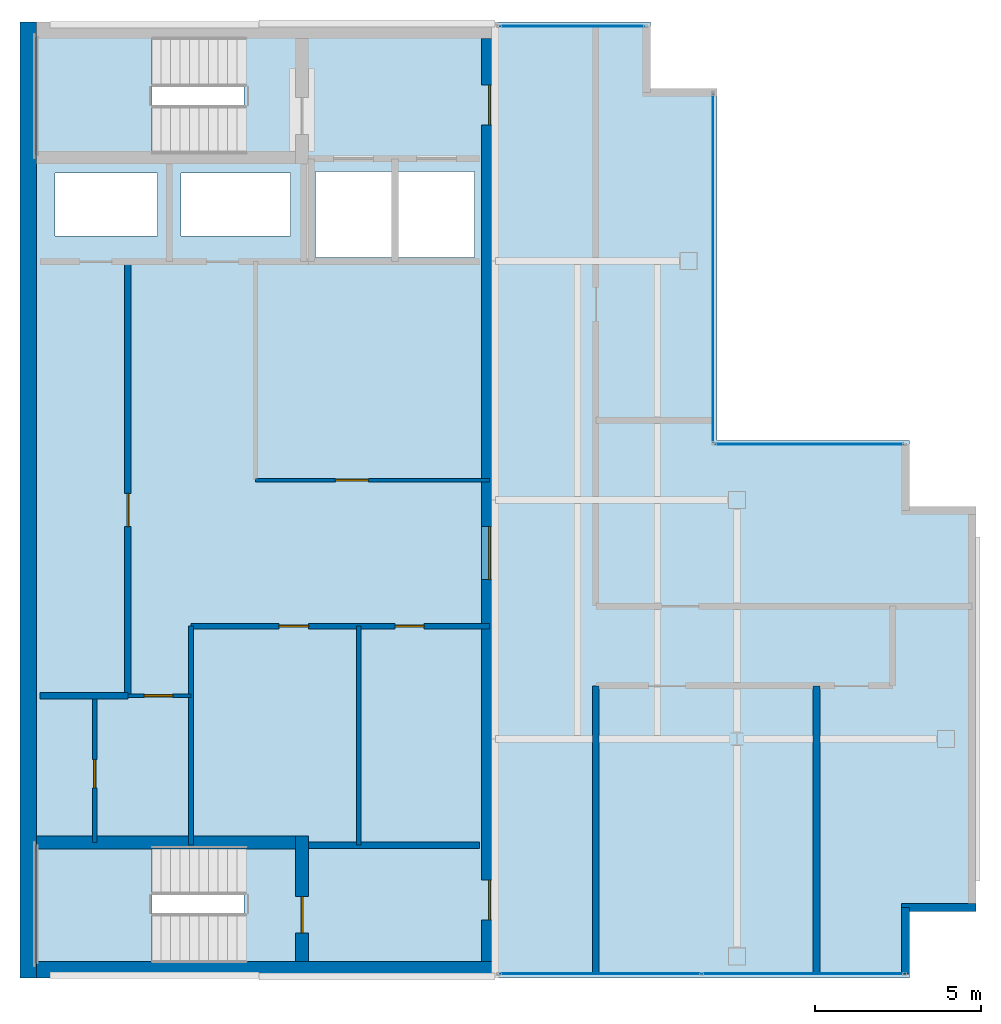
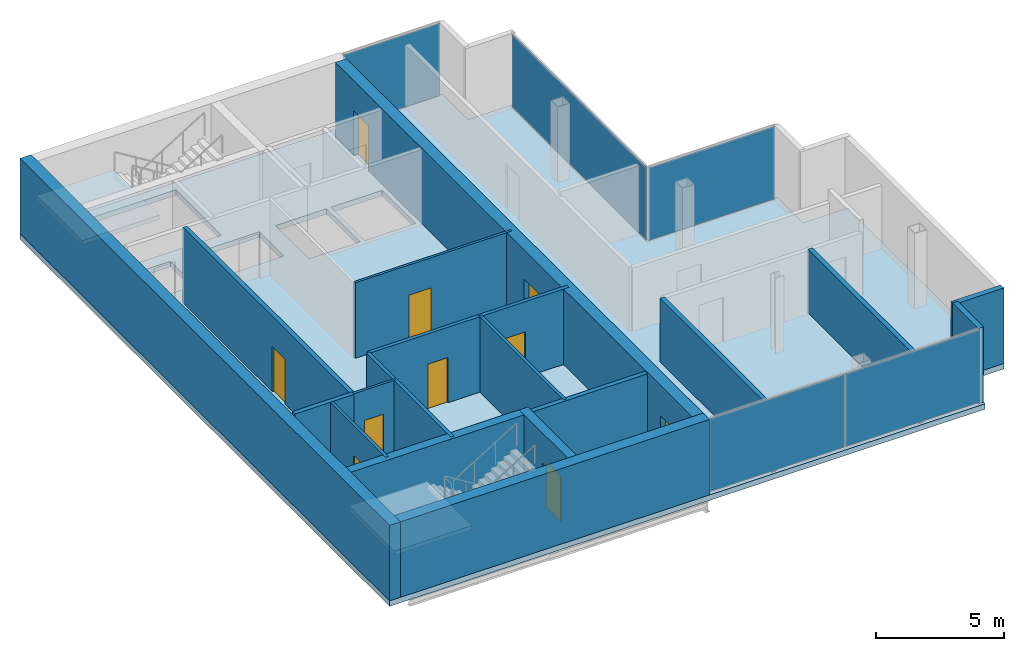
# One storey, part 13 of 15: 18 walls, 10 doors, 5 plates, 3 slabs, 16 openings, 6 elements without a shape of their own.
"""IFC4 building model written with IfcOpenShell, lengths in metres."""

from ifc_helpers import new_model, si_unit, direction, frame, frame_2d, origin, origin_2d, place, context, subcontext, project, spatial, polyline, rectangle, outline, extrude, material, layer, layer_set, type_object, element, fill, aggregate, save


model = new_model("IFC4")

# Units and contexts
model_context = context("Model", 3, precision=1e-05, world=origin(), true_north=direction((0.0, 1.0)))
body_context = subcontext(model_context, "Body", "Model", "MODEL_VIEW")
ifc_project = project(units=[si_unit("LENGTHUNIT", "METRE"), si_unit("AREAUNIT", "SQUARE_METRE"), si_unit("VOLUMEUNIT", "CUBIC_METRE"), si_unit("PLANEANGLEUNIT", "RADIAN"), si_unit("MASSUNIT", "GRAM", prefix="KILO")], contexts=[model_context])

# Site, building, storey
site_placement = place(None, origin())
site = spatial("IfcSite", under=ifc_project, at=site_placement, CompositionType="ELEMENT")
building_placement = place(site_placement, origin())
building = spatial("IfcBuilding", under=site, at=building_placement, Name="Cobrela Telecom Tower", CompositionType="ELEMENT")
storey_placement = place(building_placement, frame((0.0, 0.0, 297.5)))
storey = spatial("IfcBuildingStorey", under=building, at=storey_placement, Name="L78", CompositionType="ELEMENT", Elevation=297.5)

# Curtain wall, plate
ifc_material_1 = material(Name="Anodized Bronze Aluminium 6063-T6", Category="aluminium")
curtain_wall_type = type_object("IfcCurtainWallType", Name="CW-SYS-DRUM", PredefinedType="USERDEFINED", material=ifc_material_1)
curtain_wall_1_placement = place(storey_placement, origin())
curtain_wall_1 = element("IfcCurtainWall", 1, at=curtain_wall_1_placement, inside=storey, type_object=curtain_wall_type, Name="L78 Unitised Bronze Curtain Wall 01", ObjectType="UNITISED CURTAIN WALL", PredefinedType="USERDEFINED")
ifc_material_2 = material(Name="Solar-Control Bronze Low-E Glass", Category="glass")
ifc_layer_1 = layer(ifc_material_2, 0.028076171875)
ifc_layer_set_1 = layer_set([ifc_layer_1], Name="Solar-Control Bronze Low-E Glass")
plate_type = type_object("IfcPlateType", Name="CW-SYS-DRUM-PNL", PredefinedType="CURTAIN_PANEL", material=ifc_layer_set_1)
plate_1_placement = place(storey_placement, frame((16.639892578125, 35.8798828125, 0.06494140625), z_axis=(0.0, 0.0, 1.0), x_axis=(1.0, 0.0, 0.0)))
plate_1 = element("IfcPlate", 2, at=plate_1_placement, type_object=plate_type, Name="CW-DRUM panel 1.1", PredefinedType="CURTAIN_PANEL", context=body_context, shape_type="SweptSolid", body=[
    extrude(rectangle(XDim=4.35009765625, YDim=0.028076171875, at=origin_2d()), origin(), (0.0, 0.0, 1.0), 3.4599609375),
])
aggregate(curtain_wall_1, [plate_1])

curtain_wall_2_placement = place(storey_placement, origin())
curtain_wall_2 = element("IfcCurtainWall", 3, at=curtain_wall_2_placement, inside=storey, type_object=curtain_wall_type, Name="L78 Unitised Bronze Curtain Wall 04", ObjectType="UNITISED CURTAIN WALL", PredefinedType="USERDEFINED")
plate_2_placement = place(storey_placement, frame((20.8798828125, 28.580078125, 0.06494140625), z_axis=(0.0, 0.0, 1.0), x_axis=(0.0, -1.0, 0.0)))
plate_2 = element("IfcPlate", 4, at=plate_2_placement, type_object=plate_type, Name="CW-DRUM panel 1.1", PredefinedType="CURTAIN_PANEL", context=body_context, shape_type="SweptSolid", body=[
    extrude(rectangle(XDim=10.469970703125, YDim=0.028076171875, at=origin_2d()), origin(), (0.0, 0.0, 1.0), 3.4599609375),
])
aggregate(curtain_wall_2, [plate_2])

curtain_wall_3_placement = place(storey_placement, origin())
curtain_wall_3 = element("IfcCurtainWall", 5, at=curtain_wall_3_placement, inside=storey, type_object=curtain_wall_type, Name="L78 Unitised Bronze Curtain Wall 05", ObjectType="UNITISED CURTAIN WALL", PredefinedType="USERDEFINED")
plate_3_placement = place(storey_placement, frame((23.780029296875, 23.280029296875, 0.06494140625), z_axis=(0.0, 0.0, 1.0), x_axis=(1.0, 0.0, 0.0)))
plate_3 = element("IfcPlate", 6, at=plate_3_placement, type_object=plate_type, Name="CW-DRUM panel 1.1", PredefinedType="CURTAIN_PANEL", context=body_context, shape_type="SweptSolid", body=[
    extrude(rectangle(XDim=5.669921875, YDim=0.028076171875, at=origin_2d()), origin(), (0.0, 0.0, 1.0), 3.4599609375),
])
aggregate(curtain_wall_3, [plate_3])

# Curtain wall, plates
curtain_wall_4_placement = place(storey_placement, origin())
curtain_wall_4 = element("IfcCurtainWall", 7, at=curtain_wall_4_placement, inside=storey, type_object=curtain_wall_type, Name="L78 Unitised Bronze Curtain Wall 11", ObjectType="UNITISED CURTAIN WALL", PredefinedType="USERDEFINED")
plate_4_placement = place(storey_placement, frame((23.59375, 7.320068359375, 0.06494140625), z_axis=(0.0, 0.0, 1.0), x_axis=(-1.0, 0.0, 0.0)))
plate_4 = element("IfcPlate", 8, at=plate_4_placement, type_object=plate_type, Name="CW-DRUM panel 1.1", PredefinedType="CURTAIN_PANEL", context=body_context, shape_type="SweptSolid", body=[
    extrude(rectangle(XDim=6.04248046875, YDim=0.028076171875, at=origin_2d()), origin(), (0.0, 0.0, 1.0), 3.4599609375),
])
plate_5_placement = place(storey_placement, frame((17.486328125, 7.320068359375, 0.06494140625), z_axis=(0.0, 0.0, 1.0), x_axis=(-1.0, 0.0, 0.0)))
plate_5 = element("IfcPlate", 9, at=plate_5_placement, type_object=plate_type, Name="CW-DRUM panel 2.1", PredefinedType="CURTAIN_PANEL", context=body_context, shape_type="SweptSolid", body=[
    extrude(rectangle(XDim=6.04248046875, YDim=0.028076171875, at=origin_2d()), origin(), (0.0, 0.0, 1.0), 3.4599609375),
])
aggregate(curtain_wall_4, [plate_4, plate_5])

# Slab, openings
ifc_material_3 = material(Name="Concrete C40/50", Category="concrete")
ifc_layer_2 = layer(ifc_material_3, 0.260009765625)
ifc_layer_set_2 = layer_set([ifc_layer_2], Name="Concrete C40/50")
slab_type_1 = type_object("IfcSlabType", Name="SLAB-FLR-260", PredefinedType="FLOOR", material=ifc_layer_set_2)
slab_1_placement = place(storey_placement, frame((0.0, 0.0, -0.260009765625)))
slab_1 = element("IfcSlab", 10, at=slab_1_placement, inside=storey, type_object=slab_type_1, Name="L78 Structural Floor Slab", PredefinedType="FLOOR", context=body_context, shape_type="SweptSolid", body=[
    extrude(outline(polyline([(0.0, 7.199951171875), (26.800048828125, 7.199951171875), (26.800048828125, 9.199951171875), (28.800048828125, 9.199951171875), (28.800048828125, 21.39990234375), (26.800048828125, 21.39990234375), (26.800048828125, 23.39990234375), (21.0, 23.39990234375), (21.0, 34.0), (19.0, 34.0), (19.0, 36.0), (0.0, 36.0), (0.0, 7.199951171875)])), origin(), (0.0, 0.0, 1.0), 0.260009765625),
])
opening_1_placement = place(slab_1_placement, frame((0.0, 0.0, -0.02001953125)))
element("IfcOpeningElement", 11, at=opening_1_placement, cuts=slab_1, Name="Slab Shaft Opening SLAB-L78-MAIN.1", PredefinedType="OPENING", context=body_context, shape_type="SweptSolid", body=[
    extrude(outline(polyline([(8.89990234375, 28.89990234375), (11.199951171875, 28.89990234375), (11.199951171875, 31.5), (8.89990234375, 31.5), (8.89990234375, 28.89990234375)])), origin(), (0.0, 0.0, 1.0), 0.300048828125),
])
opening_2_placement = place(slab_1_placement, frame((0.0, 0.0, -0.02001953125)))
element("IfcOpeningElement", 12, at=opening_2_placement, cuts=slab_1, Name="Slab Shaft Opening SLAB-L78-MAIN.2", PredefinedType="OPENING", context=body_context, shape_type="SweptSolid", body=[
    extrude(outline(polyline([(11.39990234375, 28.89990234375), (13.699951171875, 28.89990234375), (13.699951171875, 31.5), (11.39990234375, 31.5), (11.39990234375, 28.89990234375)])), origin(), (0.0, 0.0, 1.0), 0.300048828125),
])
opening_3_placement = place(slab_1_placement, frame((0.0, 0.0, -0.02001953125)))
element("IfcOpeningElement", 13, at=opening_3_placement, cuts=slab_1, Name="Slab Shaft Opening SLAB-L78-MAIN.3", PredefinedType="OPENING", context=body_context, shape_type="SweptSolid", body=[
    extrude(outline(polyline([(1.050048828125, 29.550048828125), (4.14990234375, 29.550048828125), (4.14990234375, 31.449951171875), (1.050048828125, 31.449951171875), (1.050048828125, 29.550048828125)])), origin(), (0.0, 0.0, 1.0), 0.300048828125),
])
opening_4_placement = place(slab_1_placement, frame((0.0, 0.0, -0.02001953125)))
element("IfcOpeningElement", 14, at=opening_4_placement, cuts=slab_1, Name="Slab Shaft Opening SLAB-L78-MAIN.4", PredefinedType="OPENING", context=body_context, shape_type="SweptSolid", body=[
    extrude(outline(polyline([(4.85009765625, 29.550048828125), (8.14990234375, 29.550048828125), (8.14990234375, 31.449951171875), (4.85009765625, 31.449951171875), (4.85009765625, 29.550048828125)])), origin(), (0.0, 0.0, 1.0), 0.300048828125),
])
opening_5_placement = place(slab_1_placement, frame((0.0, 0.0, -0.02001953125)))
element("IfcOpeningElement", 15, at=opening_5_placement, cuts=slab_1, Name="Slab Shaft Opening SLAB-L78-MAIN.5", PredefinedType="OPENING", context=body_context, shape_type="SweptSolid", body=[
    extrude(outline(polyline([(6.7548828125, 35.550048828125), (0.47998046875, 35.550048828125), (0.47998046875, 32.0), (6.7548828125, 32.0), (6.7548828125, 35.550048828125)])), origin(), (0.0, 0.0, 1.0), 0.300048828125),
])
opening_6_placement = place(slab_1_placement, frame((0.0, 0.0, -0.02001953125)))
element("IfcOpeningElement", 16, at=opening_6_placement, cuts=slab_1, Name="Slab Shaft Opening SLAB-L78-MAIN.6", PredefinedType="OPENING", context=body_context, shape_type="SweptSolid", body=[
    extrude(outline(polyline([(6.7548828125, 11.199951171875), (0.47998046875, 11.199951171875), (0.47998046875, 7.64990234375), (6.7548828125, 7.64990234375), (6.7548828125, 11.199951171875)])), origin(), (0.0, 0.0, 1.0), 0.300048828125),
])

# Stair, slab
stair_type = type_object("IfcStairType", Name="STAIR-CORE", PredefinedType="HALF_TURN_STAIR", material=ifc_material_3)
stair_1_placement = place(storey_placement, origin())
stair_1 = element("IfcStair", 17, at=stair_1_placement, inside=storey, type_object=stair_type, Name="L78 Smokeproof Exit Stair ST1", PredefinedType="HALF_TURN_STAIR")
ifc_layer_3 = layer(ifc_material_3, 0.199951171875)
ifc_layer_set_3 = layer_set([ifc_layer_3], Name="Concrete C40/50")
slab_type_2 = type_object("IfcSlabType", Name="SLAB-LAND-200", PredefinedType="LANDING", material=ifc_layer_set_3)
slab_2_placement = place(storey_placement, frame((0.0, 0.0, 1.72509765625)))
slab_2 = element("IfcSlab", 18, at=slab_2_placement, type_object=slab_type_2, Name="ST1 landing 1", PredefinedType="LANDING", context=body_context, shape_type="SweptSolid", body=[
    extrude(outline(polyline([(3.969970703125, 35.550048828125), (0.47998046875, 35.550048828125), (0.47998046875, 32.0), (3.969970703125, 32.0), (3.969970703125, 35.550048828125)])), origin(), (0.0, 0.0, 1.0), 0.199951171875),
])
aggregate(stair_1, [slab_2])

stair_2_placement = place(storey_placement, origin())
stair_2 = element("IfcStair", 19, at=stair_2_placement, inside=storey, type_object=stair_type, Name="L78 Smokeproof Exit Stair ST2", PredefinedType="HALF_TURN_STAIR")
slab_3_placement = place(storey_placement, frame((0.0, 0.0, 1.72509765625)))
slab_3 = element("IfcSlab", 20, at=slab_3_placement, type_object=slab_type_2, Name="ST2 landing 1", PredefinedType="LANDING", context=body_context, shape_type="SweptSolid", body=[
    extrude(outline(polyline([(3.969970703125, 11.199951171875), (0.47998046875, 11.199951171875), (0.47998046875, 7.64990234375), (3.969970703125, 7.64990234375), (3.969970703125, 11.199951171875)])), origin(), (0.0, 0.0, 1.0), 0.199951171875),
])
aggregate(stair_2, [slab_3])

# Walls
ifc_layer_4 = layer(ifc_material_3, 0.5)
ifc_layer_set_4 = layer_set([ifc_layer_4], Name="Concrete C40/50")
wall_type_1 = type_object("IfcWallType", Name="WALL-CORE-C40-500", PredefinedType="SHEAR", material=ifc_layer_set_4)
wall_1_placement = place(storey_placement, frame((0.25, 7.199951171875, 0.0), z_axis=(0.0, 0.0, 1.0), x_axis=(0.0, 1.0, 0.0)))
element("IfcWall", 21, at=wall_1_placement, inside=storey, type_object=wall_type_1, Name="L78 West Core Shear Wall", PredefinedType="SHEAR", context=body_context, shape_type="SweptSolid", body=[
    extrude(rectangle(XDim=28.800048828125, YDim=0.5, at=frame_2d((14.39990234375, 0.0))), origin(), (0.0, 0.0, 1.0), 3.590087890625),
])
wall_2_placement = place(storey_placement, frame((0.5, 7.449951171875, 0.0), z_axis=(0.0, 0.0, 1.0), x_axis=(1.0, 0.0, 0.0)))
element("IfcWall", 22, at=wall_2_placement, inside=storey, type_object=wall_type_1, Name="L78 South Core Shear Wall", PredefinedType="SHEAR", context=body_context, shape_type="SweptSolid", body=[
    extrude(rectangle(XDim=13.89990234375, YDim=0.5, at=frame_2d((6.949951171875, 0.0))), origin(), (0.0, 0.0, 1.0), 3.590087890625),
])

# Wall, openings, doors
wall_3_placement = place(storey_placement, frame((14.14990234375, 35.5, 0.0), z_axis=(0.0, 0.0, 1.0), x_axis=(0.0, -1.0, 0.0)))
wall_3 = element("IfcWall", 23, at=wall_3_placement, inside=storey, type_object=wall_type_1, Name="L78 East Core Shear Wall", PredefinedType="SHEAR", context=body_context, shape_type="SweptSolid", body=[
    extrude(rectangle(XDim=27.800048828125, YDim=0.5, at=frame_2d((13.89990234375, 0.0))), origin(), (0.0, 0.0, 1.0), 3.590087890625),
])
opening_7_placement = place(wall_3_placement, frame((1.39990234375, 0.0, 0.0)))
opening_7 = element("IfcOpeningElement", 24, at=opening_7_placement, cuts=wall_3, Name="Opening DR-19", PredefinedType="OPENING", context=body_context, shape_type="SweptSolid", body=[
    extrude(rectangle(XDim=1.199951171875, YDim=2.14990234375, at=frame_2d((0.60009765625, 1.074951171875))), frame((0.0, 0.261962890625, 0.0), z_axis=(0.0, -1.0, 0.0), x_axis=(1.0, 0.0, 0.0)), (0.0, 0.0, 1.0), 0.52392578125),
])
opening_8_placement = place(wall_3_placement, frame((25.35009765625, 0.0, 0.0)))
opening_8 = element("IfcOpeningElement", 25, at=opening_8_placement, cuts=wall_3, Name="Opening DR-19", PredefinedType="OPENING", context=body_context, shape_type="SweptSolid", body=[
    extrude(rectangle(XDim=1.199951171875, YDim=2.14990234375, at=frame_2d((0.60009765625, 1.074951171875))), frame((0.0, 0.261962890625, 0.0), z_axis=(0.0, -1.0, 0.0), x_axis=(1.0, 0.0, 0.0)), (0.0, 0.0, 1.0), 0.52392578125),
])
opening_9_placement = place(wall_3_placement, frame((14.699951171875, 0.0, 0.0)))
opening_9 = element("IfcOpeningElement", 26, at=opening_9_placement, cuts=wall_3, Name="Opening DR-51", PredefinedType="OPENING", context=body_context, shape_type="SweptSolid", body=[
    extrude(rectangle(XDim=1.60009765625, YDim=2.199951171875, at=frame_2d((0.800048828125, 1.10009765625))), frame((0.0, 0.261962890625, 0.0), z_axis=(0.0, -1.0, 0.0), x_axis=(1.0, 0.0, 0.0)), (0.0, 0.0, 1.0), 0.52392578125),
])
ifc_material_4 = material(Name="Steel ASTM A36", Category="steel")
door_type_1 = type_object("IfcDoorType", Name="DOOR-FD60-1200", OperationType="SINGLE_SWING_LEFT", PredefinedType="DOOR", material=ifc_material_4)
door_1_placement = place(opening_7_placement, origin())
door_1 = element("IfcDoor", 27, at=door_1_placement, inside=storey, type_object=door_type_1, Name="L78 Door DR-19", OperationType="SINGLE_SWING_LEFT", OverallHeight=2.14990234375, OverallWidth=1.199951171875, PredefinedType="DOOR", context=body_context, shape_type="SweptSolid", body=[
    extrude(rectangle(XDim=1.199951171875, YDim=2.14990234375, at=frame_2d((0.60009765625, 1.074951171875))), frame((0.0, 0.02490234375, 0.0), z_axis=(0.0, -1.0, 0.0), x_axis=(1.0, 0.0, 0.0)), (0.0, 0.0, 1.0), 0.050048828125),
])
fill(opening_7, door_1)
door_2_placement = place(opening_8_placement, origin())
door_2 = element("IfcDoor", 28, at=door_2_placement, inside=storey, type_object=door_type_1, Name="L78 Door DR-19", OperationType="SINGLE_SWING_RIGHT", OverallHeight=2.14990234375, OverallWidth=1.199951171875, PredefinedType="DOOR", context=body_context, shape_type="SweptSolid", body=[
    extrude(rectangle(XDim=1.199951171875, YDim=2.14990234375, at=frame_2d((0.60009765625, 1.074951171875))), frame((0.0, 0.02490234375, 0.0), z_axis=(0.0, -1.0, 0.0), x_axis=(1.0, 0.0, 0.0)), (0.0, 0.0, 1.0), 0.050048828125),
])
fill(opening_8, door_2)
door_type_2 = type_object("IfcDoorType", Name="DOOR-FD60-1600", OperationType="SINGLE_SWING_LEFT", PredefinedType="DOOR", material=ifc_material_4)
door_3_placement = place(opening_9_placement, origin())
door_3 = element("IfcDoor", 29, at=door_3_placement, inside=storey, type_object=door_type_2, Name="L78 Door DR-51", OperationType="DOUBLE_DOOR_SINGLE_SWING", OverallHeight=2.199951171875, OverallWidth=1.60009765625, PredefinedType="DOOR", context=body_context, shape_type="SweptSolid", body=[
    extrude(rectangle(XDim=1.60009765625, YDim=2.199951171875, at=frame_2d((0.800048828125, 1.10009765625))), frame((0.0, 0.02490234375, 0.0), z_axis=(0.0, -1.0, 0.0), x_axis=(1.0, 0.0, 0.0)), (0.0, 0.0, 1.0), 0.050048828125),
])
fill(opening_9, door_3)

# Walls
ifc_layer_5 = layer(ifc_material_3, 0.239990234375)
ifc_layer_set_5 = layer_set([ifc_layer_5], Name="Concrete C40/50")
wall_type_2 = type_object("IfcWallType", Name="WALL-EXT-300", PredefinedType="STANDARD", material=ifc_layer_set_5)
wall_4_placement = place(storey_placement, frame((28.800048828125, 9.320068359375, 0.0), z_axis=(0.0, 0.0, 1.0), x_axis=(-1.0, 0.0, 0.0)))
element("IfcWall", 30, at=wall_4_placement, inside=storey, type_object=wall_type_2, Name="L78 Insulated Facade Wall 09", PredefinedType="STANDARD", context=body_context, shape_type="SweptSolid", body=[
    extrude(rectangle(XDim=2.239990234375, YDim=0.239990234375, at=frame_2d((1.1201171875, 0.0))), origin(), (0.0, 0.0, 1.0), 3.590087890625),
])
wall_5_placement = place(storey_placement, frame((26.679931640625, 9.320068359375, 0.0), z_axis=(0.0, 0.0, 1.0), x_axis=(0.0, -1.0, 0.0)))
element("IfcWall", 31, at=wall_5_placement, inside=storey, type_object=wall_type_2, Name="L78 Insulated Facade Wall 10", PredefinedType="STANDARD", context=body_context, shape_type="SweptSolid", body=[
    extrude(rectangle(XDim=2.0, YDim=0.239990234375, at=frame_2d((1.0, 0.0))), origin(), (0.0, 0.0, 1.0), 3.590087890625),
])

# Wall, opening, door
ifc_material_5 = material(Name="Fire-Rated Gypsum Plasterboard")
ifc_layer_6 = layer(ifc_material_5, 0.110107421875)
ifc_layer_set_6 = layer_set([ifc_layer_6], Name="Fire-Rated Gypsum Plasterboard")
wall_type_3 = type_object("IfcWallType", Name="WALL-PART-110", PredefinedType="PARTITIONING", material=ifc_layer_set_6)
wall_6_placement = place(storey_placement, frame((7.10009765625, 22.199951171875, 0.0), z_axis=(0.0, 0.0, 1.0), x_axis=(1.0, 0.0, 0.0)))
wall_6 = element("IfcWall", 32, at=wall_6_placement, inside=storey, type_object=wall_type_3, Name="L78 Interior Partition CW-RECL-S", PredefinedType="PARTITIONING", context=body_context, shape_type="SweptSolid", body=[
    extrude(rectangle(XDim=7.0498046875, YDim=0.110107421875, at=frame_2d((3.52490234375, 0.0))), origin(), (0.0, 0.0, 1.0), 3.590087890625),
])
opening_10_placement = place(wall_6_placement, frame((2.39990234375, 0.0, 0.0)))
opening_10 = element("IfcOpeningElement", 33, at=opening_10_placement, cuts=wall_6, Name="Opening DR-31", PredefinedType="OPENING", context=body_context, shape_type="SweptSolid", body=[
    extrude(rectangle(XDim=1.0, YDim=2.14990234375, at=frame_2d((0.5, 1.074951171875))), frame((0.0, 0.06689453125, 0.0), z_axis=(0.0, -1.0, 0.0), x_axis=(1.0, 0.0, 0.0)), (0.0, 0.0, 1.0), 0.134033203125),
])
ifc_material_6 = material(Name="Solid Engineered Oak Timber", Category="wood")
door_type_3 = type_object("IfcDoorType", Name="DOOR-INT-1000", OperationType="SINGLE_SWING_LEFT", PredefinedType="DOOR", material=ifc_material_6)
door_4_placement = place(opening_10_placement, origin())
door_4 = element("IfcDoor", 34, at=door_4_placement, inside=storey, type_object=door_type_3, Name="L78 Door DR-31", OperationType="SINGLE_SWING_LEFT", OverallHeight=2.14990234375, OverallWidth=1.0, PredefinedType="DOOR", context=body_context, shape_type="SweptSolid", body=[
    extrude(rectangle(XDim=1.0, YDim=2.14990234375, at=frame_2d((0.5, 1.074951171875))), frame((0.0, 0.02490234375, 0.0), z_axis=(0.0, -1.0, 0.0), x_axis=(1.0, 0.0, 0.0)), (0.0, 0.0, 1.0), 0.050048828125),
])
fill(opening_10, door_4)

wall_7_placement = place(storey_placement, frame((3.25, 15.699951171875, 0.0), z_axis=(0.0, 0.0, 1.0), x_axis=(1.0, 0.0, 0.0)))
wall_7 = element("IfcWall", 35, at=wall_7_placement, inside=storey, type_object=wall_type_3, Name="L78 Interior Partition CW-FLEX-N", PredefinedType="PARTITIONING", context=body_context, shape_type="SweptSolid", body=[
    extrude(rectangle(XDim=1.89990234375, YDim=0.110107421875, at=frame_2d((0.949951171875, 0.0))), origin(), (0.0, 0.0, 1.0), 3.590087890625),
])
opening_11_placement = place(wall_7_placement, frame((0.5, 0.0, 0.0)))
opening_11 = element("IfcOpeningElement", 36, at=opening_11_placement, cuts=wall_7, Name="Opening DR-11", PredefinedType="OPENING", context=body_context, shape_type="SweptSolid", body=[
    extrude(rectangle(XDim=0.85009765625, YDim=2.14990234375, at=frame_2d((0.425048828125, 1.074951171875))), frame((0.0, 0.06689453125, 0.0), z_axis=(0.0, -1.0, 0.0), x_axis=(1.0, 0.0, 0.0)), (0.0, 0.0, 1.0), 0.134033203125),
])
door_type_4 = type_object("IfcDoorType", Name="DOOR-INT-850", OperationType="SINGLE_SWING_LEFT", PredefinedType="DOOR", material=ifc_material_6)
door_5_placement = place(opening_11_placement, origin())
door_5 = element("IfcDoor", 37, at=door_5_placement, inside=storey, type_object=door_type_4, Name="L78 Door DR-11", OperationType="SINGLE_SWING_RIGHT", OverallHeight=2.14990234375, OverallWidth=0.85009765625, PredefinedType="DOOR", context=body_context, shape_type="SweptSolid", body=[
    extrude(rectangle(XDim=0.85009765625, YDim=2.14990234375, at=frame_2d((0.425048828125, 1.074951171875))), frame((0.0, 0.02490234375, 0.0), z_axis=(0.0, -1.0, 0.0), x_axis=(1.0, 0.0, 0.0)), (0.0, 0.0, 1.0), 0.050048828125),
])
fill(opening_11, door_5)

ifc_layer_7 = layer(ifc_material_5, 0.125)
ifc_layer_set_7 = layer_set([ifc_layer_7], Name="Fire-Rated Gypsum Plasterboard")
wall_type_4 = type_object("IfcWallType", Name="WALL-PART-125", PredefinedType="PARTITIONING", material=ifc_layer_set_7)
wall_8_placement = place(storey_placement, frame((2.25, 11.280029296875, 0.0), z_axis=(0.0, 0.0, 1.0), x_axis=(0.0, 1.0, 0.0)))
wall_8 = element("IfcWall", 38, at=wall_8_placement, inside=storey, type_object=wall_type_4, Name="L78 Interior Partition CW-FK0-V", PredefinedType="PARTITIONING", context=body_context, shape_type="SweptSolid", body=[
    extrude(rectangle(XDim=4.419921875, YDim=0.125, at=frame_2d((2.2099609375, 0.0))), origin(), (0.0, 0.0, 1.0), 3.590087890625),
])
opening_12_placement = place(wall_8_placement, frame((1.64990234375, 0.0, 0.0)))
opening_12 = element("IfcOpeningElement", 39, at=opening_12_placement, cuts=wall_8, Name="Opening DR-11", PredefinedType="OPENING", context=body_context, shape_type="SweptSolid", body=[
    extrude(rectangle(XDim=0.85009765625, YDim=2.14990234375, at=frame_2d((0.425048828125, 1.074951171875))), frame((0.0, 0.074462890625, 0.0), z_axis=(0.0, -1.0, 0.0), x_axis=(1.0, 0.0, 0.0)), (0.0, 0.0, 1.0), 0.14892578125),
])
door_6_placement = place(opening_12_placement, origin())
door_6 = element("IfcDoor", 40, at=door_6_placement, inside=storey, type_object=door_type_4, Name="L78 Door DR-11", OperationType="SINGLE_SWING_LEFT", OverallHeight=2.14990234375, OverallWidth=0.85009765625, PredefinedType="DOOR", context=body_context, shape_type="SweptSolid", body=[
    extrude(rectangle(XDim=0.85009765625, YDim=2.14990234375, at=frame_2d((0.425048828125, 1.074951171875))), frame((0.0, 0.02490234375, 0.0), z_axis=(0.0, -1.0, 0.0), x_axis=(1.0, 0.0, 0.0)), (0.0, 0.0, 1.0), 0.050048828125),
])
fill(opening_12, door_6)

# Walls
ifc_layer_8 = layer(ifc_material_5, 0.135009765625)
ifc_layer_set_8 = layer_set([ifc_layer_8], Name="Fire-Rated Gypsum Plasterboard")
wall_type_5 = type_object("IfcWallType", Name="WALL-PART-135", PredefinedType="PARTITIONING", material=ifc_layer_set_8)
wall_9_placement = place(storey_placement, frame((10.199951171875, 11.199951171875, 0.0), z_axis=(0.0, 0.0, 1.0), x_axis=(0.0, 1.0, 0.0)))
element("IfcWall", 41, at=wall_9_placement, inside=storey, type_object=wall_type_5, Name="L78 Interior Partition CW-RECM-V", PredefinedType="PARTITIONING", context=body_context, shape_type="SweptSolid", body=[
    extrude(rectangle(XDim=6.60009765625, YDim=0.135009765625, at=frame_2d((3.300048828125, 0.0))), origin(), (0.0, 0.0, 1.0), 3.590087890625),
])
ifc_layer_9 = layer(ifc_material_5, 0.14990234375)
ifc_layer_set_9 = layer_set([ifc_layer_9], Name="Fire-Rated Gypsum Plasterboard")
wall_type_6 = type_object("IfcWallType", Name="WALL-PART-150", PredefinedType="PARTITIONING", material=ifc_layer_set_9)
wall_10_placement = place(storey_placement, frame((5.14990234375, 11.199951171875, 0.0), z_axis=(0.0, 0.0, 1.0), x_axis=(0.0, 1.0, 0.0)))
element("IfcWall", 42, at=wall_10_placement, inside=storey, type_object=wall_type_6, Name="L78 Interior Partition CW-RECM-W", PredefinedType="PARTITIONING", context=body_context, shape_type="SweptSolid", body=[
    extrude(rectangle(XDim=6.60009765625, YDim=0.14990234375, at=frame_2d((3.300048828125, 0.0))), origin(), (0.0, 0.0, 1.0), 3.590087890625),
])

# Wall, openings, doors
ifc_layer_10 = layer(ifc_material_5, 0.159912109375)
ifc_layer_set_10 = layer_set([ifc_layer_10], Name="Fire-Rated Gypsum Plasterboard")
wall_type_7 = type_object("IfcWallType", Name="WALL-PART-160", PredefinedType="PARTITIONING", material=ifc_layer_set_10)
wall_11_placement = place(storey_placement, frame((5.14990234375, 17.800048828125, 0.0), z_axis=(0.0, 0.0, 1.0), x_axis=(1.0, 0.0, 0.0)))
wall_11 = element("IfcWall", 43, at=wall_11_placement, inside=storey, type_object=wall_type_7, Name="L78 Interior Partition CW-RECM-N", PredefinedType="PARTITIONING", context=body_context, shape_type="SweptSolid", body=[
    extrude(rectangle(XDim=9.0, YDim=0.159912109375, at=frame_2d((4.5, 0.0))), origin(), (0.0, 0.0, 1.0), 3.590087890625),
])
opening_13_placement = place(wall_11_placement, frame((2.64990234375, 0.0, 0.0)))
opening_13 = element("IfcOpeningElement", 44, at=opening_13_placement, cuts=wall_11, Name="Opening DR-41", PredefinedType="OPENING", context=body_context, shape_type="SweptSolid", body=[
    extrude(rectangle(XDim=0.89990234375, YDim=2.14990234375, at=frame_2d((0.449951171875, 1.074951171875))), frame((0.0, 0.091796875, 0.0), z_axis=(0.0, -1.0, 0.0), x_axis=(1.0, 0.0, 0.0)), (0.0, 0.0, 1.0), 0.183837890625),
])
opening_14_placement = place(wall_11_placement, frame((6.14990234375, 0.0, 0.0)))
opening_14 = element("IfcOpeningElement", 45, at=opening_14_placement, cuts=wall_11, Name="Opening DR-39", PredefinedType="OPENING", context=body_context, shape_type="SweptSolid", body=[
    extrude(rectangle(XDim=0.8798828125, YDim=2.14990234375, at=frame_2d((0.43994140625, 1.074951171875))), frame((0.0, 0.091796875, 0.0), z_axis=(0.0, -1.0, 0.0), x_axis=(1.0, 0.0, 0.0)), (0.0, 0.0, 1.0), 0.183837890625),
])
door_type_5 = type_object("IfcDoorType", Name="DOOR-INT-880", OperationType="SINGLE_SWING_LEFT", PredefinedType="DOOR", material=ifc_material_6)
door_7_placement = place(opening_14_placement, origin())
door_7 = element("IfcDoor", 46, at=door_7_placement, inside=storey, type_object=door_type_5, Name="L78 Door DR-39", OperationType="SINGLE_SWING_RIGHT", OverallHeight=2.14990234375, OverallWidth=0.8798828125, PredefinedType="DOOR", context=body_context, shape_type="SweptSolid", body=[
    extrude(rectangle(XDim=0.8798828125, YDim=2.14990234375, at=frame_2d((0.43994140625, 1.074951171875))), frame((0.0, 0.02490234375, 0.0), z_axis=(0.0, -1.0, 0.0), x_axis=(1.0, 0.0, 0.0)), (0.0, 0.0, 1.0), 0.050048828125),
])
fill(opening_14, door_7)
door_type_6 = type_object("IfcDoorType", Name="DOOR-INT-900", OperationType="SINGLE_SWING_LEFT", PredefinedType="DOOR", material=ifc_material_6)
door_8_placement = place(opening_13_placement, origin())
door_8 = element("IfcDoor", 47, at=door_8_placement, inside=storey, type_object=door_type_6, Name="L78 Door DR-41", OperationType="SINGLE_SWING_LEFT", OverallHeight=2.14990234375, OverallWidth=0.89990234375, PredefinedType="DOOR", context=body_context, shape_type="SweptSolid", body=[
    extrude(rectangle(XDim=0.89990234375, YDim=2.14990234375, at=frame_2d((0.449951171875, 1.074951171875))), frame((0.0, 0.02490234375, 0.0), z_axis=(0.0, -1.0, 0.0), x_axis=(1.0, 0.0, 0.0)), (0.0, 0.0, 1.0), 0.050048828125),
])
fill(opening_13, door_8)

# Wall
ifc_layer_11 = layer(ifc_material_5, 0.199951171875)
ifc_layer_set_11 = layer_set([ifc_layer_11], Name="Fire-Rated Gypsum Plasterboard")
wall_type_8 = type_object("IfcWallType", Name="WALL-SHAFT-200", PredefinedType="PARTITIONING", material=ifc_layer_set_11)
wall_12_placement = place(storey_placement, frame((8.699951171875, 11.199951171875, 0.0), z_axis=(0.0, 0.0, 1.0), x_axis=(1.0, 0.0, 0.0)))
element("IfcWall", 48, at=wall_12_placement, inside=storey, type_object=wall_type_8, Name="L78 Shaft Enclosure CW-ST2L-N", PredefinedType="PARTITIONING", context=body_context, shape_type="SweptSolid", body=[
    extrude(rectangle(XDim=5.150146484375, YDim=0.199951171875, at=frame_2d((2.5751953125, 0.0))), origin(), (0.0, 0.0, 1.0), 3.590087890625),
])

# Wall, opening, door
wall_13_placement = place(storey_placement, frame((3.25, 15.699951171875, 0.0), z_axis=(0.0, 0.0, 1.0), x_axis=(0.0, 1.0, 0.0)))
wall_13 = element("IfcWall", 49, at=wall_13_placement, inside=storey, type_object=wall_type_8, Name="L78 Shaft Enclosure CW-PLH-E", PredefinedType="PARTITIONING", context=body_context, shape_type="SweptSolid", body=[
    extrude(rectangle(XDim=13.080078125, YDim=0.199951171875, at=frame_2d((6.5400390625, 0.0))), origin(), (0.0, 0.0, 1.0), 3.590087890625),
])
opening_15_placement = place(wall_13_placement, frame((5.10009765625, 0.0, 0.0)))
opening_15 = element("IfcOpeningElement", 50, at=opening_15_placement, cuts=wall_13, Name="Opening DR-15", PredefinedType="OPENING", context=body_context, shape_type="SweptSolid", body=[
    extrude(rectangle(XDim=1.0, YDim=2.14990234375, at=frame_2d((0.5, 1.074951171875))), frame((0.0, 0.11181640625, 0.0), z_axis=(0.0, -1.0, 0.0), x_axis=(1.0, 0.0, 0.0)), (0.0, 0.0, 1.0), 0.223876953125),
])
door_type_7 = type_object("IfcDoorType", Name="DOOR-FD60-1000", OperationType="SINGLE_SWING_LEFT", PredefinedType="DOOR", material=ifc_material_4)
door_9_placement = place(opening_15_placement, origin())
door_9 = element("IfcDoor", 51, at=door_9_placement, inside=storey, type_object=door_type_7, Name="L78 Door DR-15", OperationType="SINGLE_SWING_LEFT", OverallHeight=2.14990234375, OverallWidth=1.0, PredefinedType="DOOR", context=body_context, shape_type="SweptSolid", body=[
    extrude(rectangle(XDim=1.0, YDim=2.14990234375, at=frame_2d((0.5, 1.074951171875))), frame((0.0, 0.02490234375, 0.0), z_axis=(0.0, -1.0, 0.0), x_axis=(1.0, 0.0, 0.0)), (0.0, 0.0, 1.0), 0.050048828125),
])
fill(opening_15, door_9)

# Walls
wall_14_placement = place(storey_placement, frame((0.60009765625, 15.699951171875, 0.0), z_axis=(0.0, 0.0, 1.0), x_axis=(1.0, 0.0, 0.0)))
element("IfcWall", 52, at=wall_14_placement, inside=storey, type_object=wall_type_8, Name="L78 Shaft Enclosure CW-PLH-BS", PredefinedType="PARTITIONING", context=body_context, shape_type="SweptSolid", body=[
    extrude(rectangle(XDim=2.64990234375, YDim=0.199951171875, at=frame_2d((1.324951171875, 0.0))), origin(), (0.0, 0.0, 1.0), 3.590087890625),
])
for number, where, z_axis, x_axis, name in (
    (53, (17.35009765625, 7.320068359375, 0.0), (0.0, 0.0, 1.0), (0.0, 1.0, 0.0), "L78 Shaft Enclosure W-DR-E1"),
    (54, (24.0, 7.320068359375, 0.0), (0.0, 0.0, 1.0), (0.0, 1.0, 0.0), "L78 Shaft Enclosure W-DR-V"),
):
    element("IfcWall", number, at=place(storey_placement, frame(where, z_axis=z_axis, x_axis=x_axis)), inside=storey, type_object=wall_type_8, Name=name, PredefinedType="PARTITIONING", context=body_context, shape_type="SweptSolid", body=[
        extrude(rectangle(XDim=8.679931640625, YDim=0.199951171875, at=frame_2d((4.33984375, 0.0))), origin(), (0.0, 0.0, 1.0), 3.02587890625),
    ])
ifc_layer_12 = layer(ifc_material_3, 0.39990234375)
ifc_layer_set_12 = layer_set([ifc_layer_12], Name="Concrete C40/50")
wall_type_9 = type_object("IfcWallType", Name="WALL-SHAFT-C40-400", PredefinedType="SHEAR", material=ifc_layer_set_12)
wall_15_placement = place(storey_placement, frame((0.5, 11.280029296875, 0.0), z_axis=(0.0, 0.0, 1.0), x_axis=(1.0, 0.0, 0.0)))
element("IfcWall", 55, at=wall_15_placement, inside=storey, type_object=wall_type_9, Name="L78 South Stair Shear Wall", PredefinedType="SHEAR", context=body_context, shape_type="SweptSolid", body=[
    extrude(rectangle(XDim=7.800048828125, YDim=0.39990234375, at=frame_2d((3.89990234375, 0.0))), origin(), (0.0, 0.0, 1.0), 3.590087890625),
])

# Wall, opening, door
wall_16_placement = place(storey_placement, frame((8.5, 7.699951171875, 0.0), z_axis=(0.0, 0.0, 1.0), x_axis=(0.0, 1.0, 0.0)))
wall_16 = element("IfcWall", 56, at=wall_16_placement, inside=storey, type_object=wall_type_9, Name="L78 South Stair Lobby Shear Wall", PredefinedType="SHEAR", context=body_context, shape_type="SweptSolid", body=[
    extrude(rectangle(XDim=3.780029296875, YDim=0.39990234375, at=frame_2d((1.89013671875, 0.0))), origin(), (0.0, 0.0, 1.0), 3.590087890625),
])
opening_16_placement = place(wall_16_placement, frame((0.85009765625, 0.0, 0.0)))
opening_16 = element("IfcOpeningElement", 57, at=opening_16_placement, cuts=wall_16, Name="Opening FD-90", PredefinedType="OPENING", context=body_context, shape_type="SweptSolid", body=[
    extrude(rectangle(XDim=1.10009765625, YDim=2.14990234375, at=frame_2d((0.550048828125, 1.074951171875))), frame((0.0, 0.2119140625, 0.0), z_axis=(0.0, -1.0, 0.0), x_axis=(1.0, 0.0, 0.0)), (0.0, 0.0, 1.0), 0.423828125),
])
door_type_8 = type_object("IfcDoorType", Name="DOOR-FD90-1100", OperationType="SINGLE_SWING_LEFT", PredefinedType="DOOR", material=ifc_material_4)
door_10_placement = place(opening_16_placement, origin())
door_10 = element("IfcDoor", 58, at=door_10_placement, inside=storey, type_object=door_type_8, Name="L78 Door FD-90", OperationType="SINGLE_SWING_LEFT", OverallHeight=2.14990234375, OverallWidth=1.10009765625, PredefinedType="DOOR", context=body_context, shape_type="SweptSolid", body=[
    extrude(rectangle(XDim=1.10009765625, YDim=2.14990234375, at=frame_2d((0.550048828125, 1.074951171875))), frame((0.0, 0.02490234375, 0.0), z_axis=(0.0, -1.0, 0.0), x_axis=(1.0, 0.0, 0.0)), (0.0, 0.0, 1.0), 0.050048828125),
])
fill(opening_16, door_10)

save(model, "model.ifc")
